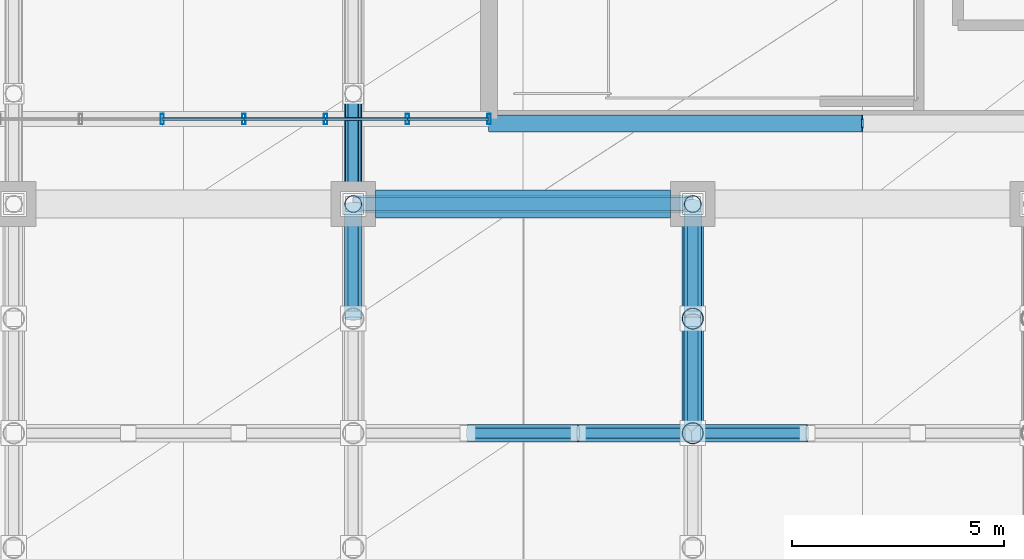
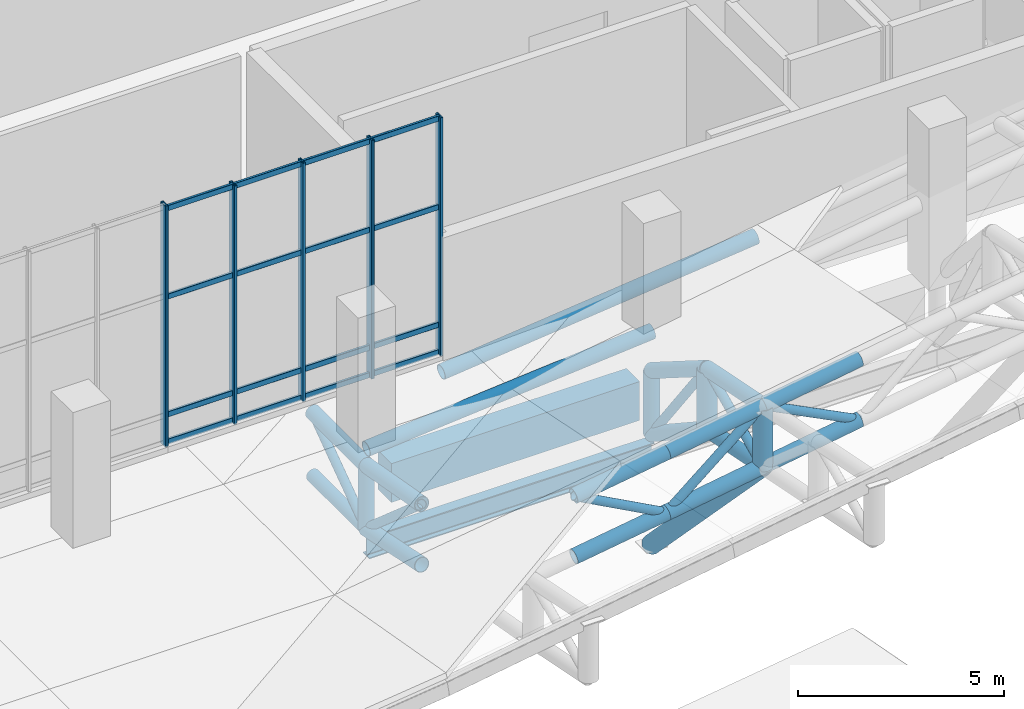
# One storey, part 32 of 137: 49 members, 2 beams, 2 elements without a shape of their own.
"""IFC4 building model written with IfcOpenShell, lengths in metres."""

from ifc_helpers import new_model, si_unit, direction, frame, origin, origin_2d, place, context, subcontext, project, spatial, rectangle, hollow_rectangle, hollow_circle, i_section, extrude, material, layer, layer_set, material_profile, profile_set, type_object, element, aggregate, save


model = new_model("IFC4")

# Units and contexts
model_context = context("Model", 3, precision=1e-05, world=origin(), true_north=direction((0.0, 1.0)))
body_context = subcontext(model_context, "Body", "Model", "MODEL_VIEW")
ifc_project = project(units=[si_unit("LENGTHUNIT", "METRE"), si_unit("AREAUNIT", "SQUARE_METRE"), si_unit("VOLUMEUNIT", "CUBIC_METRE"), si_unit("PLANEANGLEUNIT", "RADIAN"), si_unit("MASSUNIT", "GRAM", prefix="KILO")], contexts=[model_context])

# Site, building, storey
site_placement = place(None, origin())
site = spatial("IfcSite", under=ifc_project, at=site_placement, CompositionType="ELEMENT")
building_placement = place(site_placement, origin())
building = spatial("IfcBuilding", under=site, at=building_placement, Name="Khorjan Park Terminus", CompositionType="ELEMENT")
storey_placement = place(building_placement, frame((0.0, 0.0, 11.4)))
storey = spatial("IfcBuildingStorey", under=building, at=storey_placement, Name="L02", CompositionType="ELEMENT", Elevation=11.4)

# Members
ifc_material_1 = material(Name="Steel S355", Category="steel")
ifc_material_profile_1 = material_profile(ifc_material_1, hollow_circle(Radius=0.1222, WallThickness=0.0125, at=origin_2d()), Name="CHS 244.5x12.5")
ifc_profile_set_1 = profile_set([ifc_material_profile_1], Name="Steel S355")
member_type_1 = type_object("IfcMemberType", Name="MB-BR-245", PredefinedType="BRACE", material=ifc_profile_set_1)
member_1_placement = place(storey_placement, frame((112.0, 26.0, -1.92), z_axis=(0.0, 0.811830357573, 0.583893372562), x_axis=(-1.0, 0.0, 0.0)))
element("IfcMember", 1, at=member_1_placement, inside=storey, type_object=member_type_1, Name="Lower shell cantilever truss diagonal (9S)", PredefinedType="BRACE", context=body_context, shape_type="SweptSolid", body=[
    extrude(hollow_circle(Radius=0.1222, WallThickness=0.0125, at=origin_2d()), origin(), (0.0, 0.0, 1.0), 3.2026),
])
ifc_material_profile_2 = material_profile(ifc_material_1, hollow_circle(Radius=0.1222, WallThickness=0.0125, at=origin_2d()), Name="CHS 244.5x12.5")
ifc_profile_set_2 = profile_set([ifc_material_profile_2], Name="Steel S355")
member_type_2 = type_object("IfcMemberType", Name="MB-BRE-245", PredefinedType="BRACE", material=ifc_profile_set_2)
member_2_placement = place(storey_placement, frame((112.0, 23.3, 0.4308), z_axis=(0.0, 0.754194044535, -0.656651614776), x_axis=(-1.0, 0.0, 0.0)))
element("IfcMember", 2, at=member_2_placement, inside=storey, type_object=member_type_2, Name="Lower shell cantilever truss diagonal (9S)", PredefinedType="BRACE", context=body_context, shape_type="SweptSolid", body=[
    extrude(hollow_circle(Radius=0.1222, WallThickness=0.0125, at=origin_2d()), origin(), (0.0, 0.0, 1.0), 3.58),
])
member_3_placement = place(storey_placement, frame((120.0, 20.6, 0.3938), z_axis=(0.0, 0.906376008919, 0.422471928602), x_axis=(-1.0, 0.0, 0.0)))
element("IfcMember", 3, at=member_3_placement, inside=storey, type_object=member_type_2, Name="Lower shell cantilever truss diagonal (10S)", PredefinedType="BRACE", context=body_context, shape_type="SweptSolid", body=[
    extrude(hollow_circle(Radius=0.1222, WallThickness=0.0125, at=origin_2d()), origin(), (0.0, 0.0, 1.0), 2.9789),
])
member_4_placement = place(storey_placement, frame((120.0, 23.3, 1.6523), z_axis=(0.0, 0.602965135538, -0.797767538401), x_axis=(-1.0, 0.0, 0.0)))
element("IfcMember", 4, at=member_4_placement, inside=storey, type_object=member_type_2, Name="Lower shell cantilever truss diagonal (10S)", PredefinedType="BRACE", context=body_context, shape_type="SweptSolid", body=[
    extrude(hollow_circle(Radius=0.1222, WallThickness=0.0125, at=origin_2d()), origin(), (0.0, 0.0, 1.0), 4.4779),
])
member_5_placement = place(storey_placement, frame((114.7, 20.6, 1.3641), z_axis=(0.880046872232, 0.0, -0.474886831439), x_axis=(0.0, 1.0, 0.0)))
element("IfcMember", 5, at=member_5_placement, inside=storey, type_object=member_type_2, Name="Lower shell mid-ring diagonal (S30)", PredefinedType="BRACE", context=body_context, shape_type="SweptSolid", body=[
    extrude(hollow_circle(Radius=0.1222, WallThickness=0.0125, at=origin_2d()), origin(), (0.0, 0.0, 1.0), 2.9544),
])
member_6_placement = place(storey_placement, frame((117.3, 20.6, -0.0389), z_axis=(0.770644194056, 0.0, 0.637265663729), x_axis=(0.0, 1.0, 0.0)))
element("IfcMember", 6, at=member_6_placement, inside=storey, type_object=member_type_2, Name="Lower shell mid-ring diagonal (S31)", PredefinedType="BRACE", context=body_context, shape_type="SweptSolid", body=[
    extrude(hollow_circle(Radius=0.1222, WallThickness=0.0125, at=origin_2d()), origin(), (0.0, 0.0, 1.0), 3.5036),
])
member_7_placement = place(storey_placement, frame((120.0, 20.6, 2.1938), z_axis=(0.892129007038, 0.0, -0.451780737527), x_axis=(0.0, 1.0, 0.0)))
element("IfcMember", 7, at=member_7_placement, inside=storey, type_object=member_type_2, Name="Lower shell mid-ring diagonal (S32)", PredefinedType="BRACE", context=body_context, shape_type="SweptSolid", body=[
    extrude(hollow_circle(Radius=0.1222, WallThickness=0.0125, at=origin_2d()), origin(), (0.0, 0.0, 1.0), 3.0265),
])
ifc_material_profile_3 = material_profile(ifc_material_1, hollow_circle(Radius=0.1778, WallThickness=0.016, at=origin_2d()), Name="CHS 355.6x16")
ifc_profile_set_3 = profile_set([ifc_material_profile_3], Name="Steel S355")
member_type_3 = type_object("IfcMemberType", Name="MB-CH-356", PredefinedType="CHORD", material=ifc_profile_set_3)
member_8_placement = place(storey_placement, frame((112.0, 26.0, -1.92), z_axis=(0.0, 1.0, 0.0), x_axis=(-1.0, 0.0, 0.0)))
element("IfcMember", 8, at=member_8_placement, inside=storey, type_object=member_type_3, Name="Lower shell cantilever truss bottom chord (9S)", PredefinedType="CHORD", context=body_context, shape_type="SweptSolid", body=[
    extrude(hollow_circle(Radius=0.1778, WallThickness=0.016, at=origin_2d()), origin(), (0.0, 0.0, 1.0), 2.6),
])
ifc_material_profile_4 = material_profile(ifc_material_1, hollow_circle(Radius=0.2032, WallThickness=0.016, at=origin_2d()), Name="CHS 406.4x16")
ifc_profile_set_4 = profile_set([ifc_material_profile_4], Name="Steel S355")
member_type_4 = type_object("IfcMemberType", Name="MB-CH-406", PredefinedType="CHORD", material=ifc_profile_set_4)
member_9_placement = place(storey_placement, frame((115.2, 27.9, 0.4335), z_axis=(0.994375475999, 0.0, 0.105912287915), x_axis=(0.0, 1.0, 0.0)))
element("IfcMember", 9, at=member_9_placement, inside=storey, type_object=member_type_4, Name="Lower wrapping shell rim chord (84)", PredefinedType="CHORD", context=body_context, shape_type="SweptSolid", body=[
    extrude(hollow_circle(Radius=0.2032, WallThickness=0.016, at=origin_2d()), origin(), (0.0, 0.0, 1.0), 8.8498),
])
member_10_placement = place(storey_placement, frame((112.0, 26.0, -0.05), z_axis=(0.0, 1.0, 0.0), x_axis=(-1.0, 0.0, 0.0)))
element("IfcMember", 10, at=member_10_placement, inside=storey, type_object=member_type_4, Name="Lower shell cantilever truss top chord (9S)", PredefinedType="CHORD", context=body_context, shape_type="SweptSolid", body=[
    extrude(hollow_circle(Radius=0.2032, WallThickness=0.016, at=origin_2d()), origin(), (0.0, 0.0, 1.0), 2.6),
])
ifc_material_profile_5 = material_profile(ifc_material_1, hollow_circle(Radius=0.2032, WallThickness=0.016, at=origin_2d()), Name="CHS 406.4x16")
ifc_profile_set_5 = profile_set([ifc_material_profile_5], Name="Steel S355")
member_type_5 = type_object("IfcMemberType", Name="MB-CHE-406", PredefinedType="CHORD", material=ifc_profile_set_5)
member_11_placement = place(storey_placement, frame((112.0, 26.0, 0.4308), z_axis=(0.996406958115, 0.0, 0.08469459144), x_axis=(0.0, 1.0, 0.0)))
element("IfcMember", 11, at=member_11_placement, inside=storey, type_object=member_type_5, Name="Lower wrapping shell rim chord (67)", PredefinedType="CHORD", context=body_context, shape_type="SweptSolid", body=[
    extrude(hollow_circle(Radius=0.2032, WallThickness=0.016, at=origin_2d()), origin(), (0.0, 0.0, 1.0), 8.0288),
])
member_12_placement = place(storey_placement, frame((112.0, 23.3, 0.4308), z_axis=(0.0, 0.98451219689, -0.175316097876), x_axis=(-1.0, 0.0, 0.0)))
element("IfcMember", 12, at=member_12_placement, inside=storey, type_object=member_type_5, Name="Lower shell cantilever truss top chord (9S)", PredefinedType="CHORD", context=body_context, shape_type="SweptSolid", body=[
    extrude(hollow_circle(Radius=0.2032, WallThickness=0.016, at=origin_2d()), origin(), (0.0, 0.0, 1.0), 2.7425),
])
member_13_placement = place(storey_placement, frame((112.0, 23.3, -1.3692), z_axis=(0.0, 0.979819726619, -0.19988322423), x_axis=(-1.0, 0.0, 0.0)))
element("IfcMember", 13, at=member_13_placement, inside=storey, type_object=member_type_5, Name="Lower shell cantilever truss bottom chord (9S)", PredefinedType="CHORD", context=body_context, shape_type="SweptSolid", body=[
    extrude(hollow_circle(Radius=0.2032, WallThickness=0.016, at=origin_2d()), origin(), (0.0, 0.0, 1.0), 2.7556),
])
for number, where, z_axis, x_axis, name in (
    (14, (120.0, 20.6, 2.1938), (0.0, 0.980475784127, -0.196639865594), (-1.0, 0.0, 0.0), "Lower shell cantilever truss top chord (10S)"),
    (15, (120.0, 20.6, 0.3938), (0.0, 0.980475784127, -0.196639865594), (-1.0, 0.0, 0.0), "Lower shell cantilever truss bottom chord (10S)"),
):
    element("IfcMember", number, at=place(storey_placement, frame(where, z_axis=z_axis, x_axis=x_axis)), inside=storey, type_object=member_type_5, Name=name, PredefinedType="CHORD", context=body_context, shape_type="SweptSolid", body=[
        extrude(hollow_circle(Radius=0.2032, WallThickness=0.016, at=origin_2d()), origin(), (0.0, 0.0, 1.0), 2.7538),
    ])
member_14_placement = place(storey_placement, frame((120.0, 23.3, 1.6523), z_axis=(0.0, 0.845907781047, -0.533329190991), x_axis=(-1.0, 0.0, 0.0)))
element("IfcMember", 16, at=member_14_placement, inside=storey, type_object=member_type_5, Name="Lower shell cantilever truss top chord (10S)", PredefinedType="CHORD", context=body_context, shape_type="SweptSolid", body=[
    extrude(hollow_circle(Radius=0.2032, WallThickness=0.016, at=origin_2d()), origin(), (0.0, 0.0, 1.0), 3.1918),
])
member_15_placement = place(storey_placement, frame((120.0, 23.3, -0.1477), z_axis=(0.0, 0.83598754475, -0.548748416874), x_axis=(-1.0, 0.0, 0.0)))
element("IfcMember", 17, at=member_15_placement, inside=storey, type_object=member_type_5, Name="Lower shell cantilever truss bottom chord (10S)", PredefinedType="CHORD", context=body_context, shape_type="SweptSolid", body=[
    extrude(hollow_circle(Radius=0.2032, WallThickness=0.016, at=origin_2d()), origin(), (0.0, 0.0, 1.0), 3.2297),
])
for number, where, z_axis, x_axis, name in (
    (18, (114.7, 20.6, 1.3641), (0.988542493121, 0.0, 0.150942834526), (0.0, 1.0, 0.0), "Lower shell mid-ring top chord (S30)"),
    (19, (114.7, 20.6, -0.4359), (0.988542493121, 0.0, 0.150942834526), (0.0, 1.0, 0.0), "Lower shell mid-ring bottom chord (S30)"),
):
    element("IfcMember", number, at=place(storey_placement, frame(where, z_axis=z_axis, x_axis=x_axis)), inside=storey, type_object=member_type_5, Name=name, PredefinedType="CHORD", context=body_context, shape_type="SweptSolid", body=[
        extrude(hollow_circle(Radius=0.2032, WallThickness=0.016, at=origin_2d()), origin(), (0.0, 0.0, 1.0), 2.6301),
    ])
for number, where, z_axis, x_axis, name in (
    (20, (117.3, 20.6, 1.7611), (0.987400663901, 0.0, 0.158240098989), (0.0, 1.0, 0.0), "Lower shell mid-ring top chord (S31)"),
    (21, (117.3, 20.6, -0.0389), (0.987400663901, 0.0, 0.158240098989), (0.0, 1.0, 0.0), "Lower shell mid-ring bottom chord (S31)"),
    (22, (120.0, 20.6, 2.1938), (0.987400663901, 0.0, 0.158240098989), (0.0, 1.0, 0.0), "Lower shell mid-ring top chord (S32)"),
    (23, (120.0, 20.6, 0.3938), (0.987400663901, 0.0, 0.158240098989), (0.0, 1.0, 0.0), "Lower shell mid-ring bottom chord (S32)"),
):
    element("IfcMember", number, at=place(storey_placement, frame(where, z_axis=z_axis, x_axis=x_axis)), inside=storey, type_object=member_type_5, Name=name, PredefinedType="CHORD", context=body_context, shape_type="SweptSolid", body=[
        extrude(hollow_circle(Radius=0.2032, WallThickness=0.016, at=origin_2d()), origin(), (0.0, 0.0, 1.0), 2.7345),
    ])
ifc_material_profile_6 = material_profile(ifc_material_1, hollow_circle(Radius=0.2032, WallThickness=0.016, at=origin_2d()), Name="CHS 406.4x16")
ifc_profile_set_6 = profile_set([ifc_material_profile_6], Name="Steel S355")
member_type_6 = type_object("IfcMemberType", Name="MB-ST-406", PredefinedType="STRUT", material=ifc_profile_set_6)
for number, where, z_axis, x_axis, name in (
    (24, (112.0, 26.0, -1.92), (0.0, 0.0, 1.0), (1.0, 0.0, 0.0), "Lower shell cantilever truss post (9S)"),
    (25, (120.0, 26.0, -1.92), (0.0, 0.0, 1.0), (1.0, 0.0, 0.0), "Lower shell cantilever truss post (10S)"),
):
    element("IfcMember", number, at=place(storey_placement, frame(where, z_axis=z_axis, x_axis=x_axis)), inside=storey, type_object=member_type_6, Name=name, PredefinedType="STRUT", context=body_context, shape_type="SweptSolid", body=[
        extrude(hollow_circle(Radius=0.2032, WallThickness=0.016, at=origin_2d()), origin(), (0.0, 0.0, 1.0), 1.87),
    ])
ifc_material_profile_7 = material_profile(ifc_material_1, hollow_circle(Radius=0.254, WallThickness=0.02, at=origin_2d()), Name="CHS 508x20")
ifc_profile_set_7 = profile_set([ifc_material_profile_7], Name="Steel S355")
member_type_7 = type_object("IfcMemberType", Name="MB-STE-508", PredefinedType="STRUT", material=ifc_profile_set_7)
for number, where, z_axis, x_axis, name in (
    (26, (120.0, 20.6, 0.3938), (0.0, 0.0, 1.0), (1.0, 0.0, 0.0), "Lower shell cantilever truss post (10S)"),
    (27, (120.0, 23.3, -0.1477), (0.0, 0.0, 1.0), (1.0, 0.0, 0.0), "Lower shell cantilever truss post (10S)"),
):
    element("IfcMember", number, at=place(storey_placement, frame(where, z_axis=z_axis, x_axis=x_axis)), inside=storey, type_object=member_type_7, Name=name, PredefinedType="STRUT", context=body_context, shape_type="SweptSolid", body=[
        extrude(hollow_circle(Radius=0.254, WallThickness=0.02, at=origin_2d()), origin(), (0.0, 0.0, 1.0), 1.8),
    ])
member_16_placement = place(storey_placement, frame((120.0, 26.0, -5.2), z_axis=(0.0, -0.694533914635, 0.719459965127), x_axis=(1.0, 0.0, 0.0)))
element("IfcMember", 28, at=member_16_placement, inside=storey, type_object=member_type_7, Name="Lower shell raked overhang V-strut STE-51 (10S)", PredefinedType="STRUT", context=body_context, shape_type="SweptSolid", body=[
    extrude(hollow_circle(Radius=0.254, WallThickness=0.02, at=origin_2d()), origin(), (0.0, 0.0, 1.0), 7.775),
])

# Curtain wall, member
ifc_material_2 = material(Name="Anodized Bronze Aluminium", Category="aluminium")
ifc_layer = layer(ifc_material_2, 0.22)
ifc_layer_set = layer_set([ifc_layer], Name="Anodized Bronze Aluminium")
curtain_wall_type = type_object("IfcCurtainWallType", Name="CW-CONC-CLR", PredefinedType="NOTDEFINED", material=ifc_layer_set)
curtain_wall_1_placement = place(storey_placement, origin())
curtain_wall_1 = element("IfcCurtainWall", 29, at=curtain_wall_1_placement, inside=storey, type_object=curtain_wall_type, Name="Unitized curtain wall CW-CL (CW-V2-S-CLR-06)", PredefinedType="NOTDEFINED")
ifc_material_profile_8 = material_profile(ifc_material_2, hollow_rectangle(XDim=0.08, YDim=0.25, WallThickness=0.005, InnerFilletRadius=0.005, OuterFilletRadius=0.01, at=origin_2d()), Name="ALM 80x250x5")
ifc_profile_set_8 = profile_set([ifc_material_profile_8], Name="Anodized Bronze Aluminium")
member_type_8 = type_object("IfcMemberType", Name="ML-ALM-250", PredefinedType="MULLION", material=ifc_profile_set_8)
member_17_placement = place(storey_placement, frame((107.5, 28.0, 0.915), z_axis=(0.0, 0.0, 1.0), x_axis=(1.0, 0.0, 0.0)))
member_17 = element("IfcMember", 30, at=member_17_placement, type_object=member_type_8, Name="Curtain-wall mullion ML-25 (CW-V2-S-CLR-06-4)", PredefinedType="MULLION", context=body_context, shape_type="SweptSolid", body=[
    extrude(hollow_rectangle(XDim=0.08, YDim=0.25, WallThickness=0.005, InnerFilletRadius=0.005, OuterFilletRadius=0.01, at=origin_2d()), origin(), (0.0, 0.0, 1.0), 7.1432),
])
aggregate(curtain_wall_1, [member_17])

# Curtain wall, members
curtain_wall_2_placement = place(storey_placement, origin())
curtain_wall_2 = element("IfcCurtainWall", 31, at=curtain_wall_2_placement, inside=storey, type_object=curtain_wall_type, Name="Unitized curtain wall CW-CL (CW-V2-S-CLR-07)", PredefinedType="NOTDEFINED")
member_18_placement = place(storey_placement, frame((109.425, 28.0, 0.915), z_axis=(0.0, 0.0, 1.0), x_axis=(1.0, 0.0, 0.0)))
member_18 = element("IfcMember", 32, at=member_18_placement, type_object=member_type_8, Name="Curtain-wall mullion ML-25 (CW-V2-S-CLR-07-1)", PredefinedType="MULLION", context=body_context, shape_type="SweptSolid", body=[
    extrude(hollow_rectangle(XDim=0.08, YDim=0.25, WallThickness=0.005, InnerFilletRadius=0.005, OuterFilletRadius=0.01, at=origin_2d()), origin(), (0.0, 0.0, 1.0), 7.0716),
])
member_19_placement = place(storey_placement, frame((111.35, 28.0, 0.915), z_axis=(0.0, 0.0, 1.0), x_axis=(1.0, 0.0, 0.0)))
member_19 = element("IfcMember", 33, at=member_19_placement, type_object=member_type_8, Name="Curtain-wall mullion ML-25 (CW-V2-S-CLR-07-2)", PredefinedType="MULLION", context=body_context, shape_type="SweptSolid", body=[
    extrude(hollow_rectangle(XDim=0.08, YDim=0.25, WallThickness=0.005, InnerFilletRadius=0.005, OuterFilletRadius=0.01, at=origin_2d()), origin(), (0.0, 0.0, 1.0), 7.0716),
])
member_20_placement = place(storey_placement, frame((113.275, 28.0, 0.915), z_axis=(0.0, 0.0, 1.0), x_axis=(1.0, 0.0, 0.0)))
member_20 = element("IfcMember", 34, at=member_20_placement, type_object=member_type_8, Name="Curtain-wall mullion ML-25 (CW-V2-S-CLR-07-3)", PredefinedType="MULLION", context=body_context, shape_type="SweptSolid", body=[
    extrude(hollow_rectangle(XDim=0.08, YDim=0.25, WallThickness=0.005, InnerFilletRadius=0.005, OuterFilletRadius=0.01, at=origin_2d()), origin(), (0.0, 0.0, 1.0), 7.0716),
])
member_21_placement = place(storey_placement, frame((115.2, 28.0, 0.915), z_axis=(0.0, 0.0, 1.0), x_axis=(1.0, 0.0, 0.0)))
member_21 = element("IfcMember", 35, at=member_21_placement, type_object=member_type_8, Name="Curtain-wall mullion ML-25 (CW-V2-S-CLR-07-4)", PredefinedType="MULLION", context=body_context, shape_type="SweptSolid", body=[
    extrude(hollow_rectangle(XDim=0.08, YDim=0.25, WallThickness=0.005, InnerFilletRadius=0.005, OuterFilletRadius=0.01, at=origin_2d()), origin(), (0.0, 0.0, 1.0), 7.0716),
])

# Beams
ifc_material_profile_9 = material_profile(ifc_material_1, i_section(OverallWidth=0.3, OverallDepth=0.65, WebThickness=0.016, FlangeThickness=0.031, FilletRadius=0.027, at=origin_2d()), Name="HEB 650")
ifc_profile_set_9 = profile_set([ifc_material_profile_9], Name="Steel S355")
beam_type_1 = type_object("IfcBeamType", Name="SP-HEB650E", PredefinedType="SPANDREL", material=ifc_profile_set_9)
beam_1_placement = place(storey_placement, frame((112.0, 26.0, -2.425), z_axis=(1.0, 0.0, 0.0), x_axis=(0.0, 1.0, 0.0)))
element("IfcBeam", 36, at=beam_1_placement, inside=storey, type_object=beam_type_1, Name="Lower shell truss support girder SP-E65 (X9)", PredefinedType="SPANDREL", context=body_context, shape_type="SweptSolid", body=[
    extrude(i_section(OverallWidth=0.3, OverallDepth=0.65, WebThickness=0.016, FlangeThickness=0.031, FilletRadius=0.027, at=origin_2d()), origin(), (0.0, 0.0, 1.0), 8.0),
])
ifc_material_3 = material(Name="Concrete C50/60", Category="concrete")
ifc_material_profile_10 = material_profile(ifc_material_3, rectangle(XDim=0.65, YDim=1.15, at=origin_2d()), Name="RC 650x1150")
ifc_profile_set_10 = profile_set([ifc_material_profile_10], Name="Concrete C50/60")
beam_type_2 = type_object("IfcBeamType", Name="SP-RC650x1150", PredefinedType="SPANDREL", material=ifc_profile_set_10)
beam_2_placement = place(storey_placement, frame((112.52, 26.0, -0.575), z_axis=(1.0, 0.0, 0.0), x_axis=(0.0, 1.0, 0.0)))
element("IfcBeam", 37, at=beam_2_placement, inside=storey, type_object=beam_type_2, Name="Concourse lower colonnade ring beam SP-11 (L02-53)", PredefinedType="SPANDREL", context=body_context, shape_type="SweptSolid", body=[
    extrude(rectangle(XDim=0.65, YDim=1.15, at=origin_2d()), origin(), (0.0, 0.0, 1.0), 6.96),
])

# Member
ifc_material_profile_11 = material_profile(ifc_material_2, hollow_rectangle(XDim=0.07, YDim=0.16, WallThickness=0.004, InnerFilletRadius=0.004, OuterFilletRadius=0.008, at=origin_2d()), Name="ALT 70x160x4")
ifc_profile_set_11 = profile_set([ifc_material_profile_11], Name="Anodized Bronze Aluminium")
member_type_9 = type_object("IfcMemberType", Name="TR-ALT-160", PredefinedType="USERDEFINED", material=ifc_profile_set_11)
member_22_placement = place(storey_placement, frame((107.5, 28.0, 0.99), z_axis=(1.0, 0.0, 0.0), x_axis=(0.0, 1.0, 0.0)))
member_22 = element("IfcMember", 38, at=member_22_placement, type_object=member_type_9, Name="Curtain-wall transom TR-16 (CW-V2-S-CLR-07-0-1)", ObjectType="TRANSOM", PredefinedType="USERDEFINED", context=body_context, shape_type="SweptSolid", body=[
    extrude(hollow_rectangle(XDim=0.07, YDim=0.16, WallThickness=0.004, InnerFilletRadius=0.004, OuterFilletRadius=0.008, at=origin_2d()), origin(), (0.0, 0.0, 1.0), 1.925),
])

member_23_placement = place(storey_placement, frame((107.5, 28.0, 1.8), z_axis=(1.0, 0.0, 0.0), x_axis=(0.0, 1.0, 0.0)))
member_23 = element("IfcMember", 39, at=member_23_placement, type_object=member_type_9, Name="Curtain-wall transom TR-16 (CW-V2-S-CLR-07-0-2)", ObjectType="TRANSOM", PredefinedType="USERDEFINED", context=body_context, shape_type="SweptSolid", body=[
    extrude(hollow_rectangle(XDim=0.07, YDim=0.16, WallThickness=0.004, InnerFilletRadius=0.004, OuterFilletRadius=0.008, at=origin_2d()), origin(), (0.0, 0.0, 1.0), 1.925),
])

member_24_placement = place(storey_placement, frame((107.5, 28.0, 5.291), z_axis=(1.0, 0.0, 0.0), x_axis=(0.0, 1.0, 0.0)))
member_24 = element("IfcMember", 40, at=member_24_placement, type_object=member_type_9, Name="Curtain-wall transom TR-16 (CW-V2-S-CLR-07-0-3)", ObjectType="TRANSOM", PredefinedType="USERDEFINED", context=body_context, shape_type="SweptSolid", body=[
    extrude(hollow_rectangle(XDim=0.07, YDim=0.16, WallThickness=0.004, InnerFilletRadius=0.004, OuterFilletRadius=0.008, at=origin_2d()), origin(), (0.0, 0.0, 1.0), 1.925),
])

member_25_placement = place(storey_placement, frame((107.5, 28.0, 7.9116), z_axis=(1.0, 0.0, 0.0), x_axis=(0.0, 1.0, 0.0)))
member_25 = element("IfcMember", 41, at=member_25_placement, type_object=member_type_9, Name="Curtain-wall transom TR-16 (CW-V2-S-CLR-07-0-4)", ObjectType="TRANSOM", PredefinedType="USERDEFINED", context=body_context, shape_type="SweptSolid", body=[
    extrude(hollow_rectangle(XDim=0.07, YDim=0.16, WallThickness=0.004, InnerFilletRadius=0.004, OuterFilletRadius=0.008, at=origin_2d()), origin(), (0.0, 0.0, 1.0), 1.925),
])

member_26_placement = place(storey_placement, frame((109.425, 28.0, 0.99), z_axis=(1.0, 0.0, 0.0), x_axis=(0.0, 1.0, 0.0)))
member_26 = element("IfcMember", 42, at=member_26_placement, type_object=member_type_9, Name="Curtain-wall transom TR-16 (CW-V2-S-CLR-07-1-1)", ObjectType="TRANSOM", PredefinedType="USERDEFINED", context=body_context, shape_type="SweptSolid", body=[
    extrude(hollow_rectangle(XDim=0.07, YDim=0.16, WallThickness=0.004, InnerFilletRadius=0.004, OuterFilletRadius=0.008, at=origin_2d()), origin(), (0.0, 0.0, 1.0), 1.925),
])

member_27_placement = place(storey_placement, frame((109.425, 28.0, 1.8), z_axis=(1.0, 0.0, 0.0), x_axis=(0.0, 1.0, 0.0)))
member_27 = element("IfcMember", 43, at=member_27_placement, type_object=member_type_9, Name="Curtain-wall transom TR-16 (CW-V2-S-CLR-07-1-2)", ObjectType="TRANSOM", PredefinedType="USERDEFINED", context=body_context, shape_type="SweptSolid", body=[
    extrude(hollow_rectangle(XDim=0.07, YDim=0.16, WallThickness=0.004, InnerFilletRadius=0.004, OuterFilletRadius=0.008, at=origin_2d()), origin(), (0.0, 0.0, 1.0), 1.925),
])

member_28_placement = place(storey_placement, frame((109.425, 28.0, 5.291), z_axis=(1.0, 0.0, 0.0), x_axis=(0.0, 1.0, 0.0)))
member_28 = element("IfcMember", 44, at=member_28_placement, type_object=member_type_9, Name="Curtain-wall transom TR-16 (CW-V2-S-CLR-07-1-3)", ObjectType="TRANSOM", PredefinedType="USERDEFINED", context=body_context, shape_type="SweptSolid", body=[
    extrude(hollow_rectangle(XDim=0.07, YDim=0.16, WallThickness=0.004, InnerFilletRadius=0.004, OuterFilletRadius=0.008, at=origin_2d()), origin(), (0.0, 0.0, 1.0), 1.925),
])

member_29_placement = place(storey_placement, frame((109.425, 28.0, 7.9116), z_axis=(1.0, 0.0, 0.0), x_axis=(0.0, 1.0, 0.0)))
member_29 = element("IfcMember", 45, at=member_29_placement, type_object=member_type_9, Name="Curtain-wall transom TR-16 (CW-V2-S-CLR-07-1-4)", ObjectType="TRANSOM", PredefinedType="USERDEFINED", context=body_context, shape_type="SweptSolid", body=[
    extrude(hollow_rectangle(XDim=0.07, YDim=0.16, WallThickness=0.004, InnerFilletRadius=0.004, OuterFilletRadius=0.008, at=origin_2d()), origin(), (0.0, 0.0, 1.0), 1.925),
])

member_30_placement = place(storey_placement, frame((111.35, 28.0, 0.99), z_axis=(1.0, 0.0, 0.0), x_axis=(0.0, 1.0, 0.0)))
member_30 = element("IfcMember", 46, at=member_30_placement, type_object=member_type_9, Name="Curtain-wall transom TR-16 (CW-V2-S-CLR-07-2-1)", ObjectType="TRANSOM", PredefinedType="USERDEFINED", context=body_context, shape_type="SweptSolid", body=[
    extrude(hollow_rectangle(XDim=0.07, YDim=0.16, WallThickness=0.004, InnerFilletRadius=0.004, OuterFilletRadius=0.008, at=origin_2d()), origin(), (0.0, 0.0, 1.0), 1.925),
])

member_31_placement = place(storey_placement, frame((111.35, 28.0, 1.8), z_axis=(1.0, 0.0, 0.0), x_axis=(0.0, 1.0, 0.0)))
member_31 = element("IfcMember", 47, at=member_31_placement, type_object=member_type_9, Name="Curtain-wall transom TR-16 (CW-V2-S-CLR-07-2-2)", ObjectType="TRANSOM", PredefinedType="USERDEFINED", context=body_context, shape_type="SweptSolid", body=[
    extrude(hollow_rectangle(XDim=0.07, YDim=0.16, WallThickness=0.004, InnerFilletRadius=0.004, OuterFilletRadius=0.008, at=origin_2d()), origin(), (0.0, 0.0, 1.0), 1.925),
])

member_32_placement = place(storey_placement, frame((111.35, 28.0, 5.291), z_axis=(1.0, 0.0, 0.0), x_axis=(0.0, 1.0, 0.0)))
member_32 = element("IfcMember", 48, at=member_32_placement, type_object=member_type_9, Name="Curtain-wall transom TR-16 (CW-V2-S-CLR-07-2-3)", ObjectType="TRANSOM", PredefinedType="USERDEFINED", context=body_context, shape_type="SweptSolid", body=[
    extrude(hollow_rectangle(XDim=0.07, YDim=0.16, WallThickness=0.004, InnerFilletRadius=0.004, OuterFilletRadius=0.008, at=origin_2d()), origin(), (0.0, 0.0, 1.0), 1.925),
])

member_33_placement = place(storey_placement, frame((111.35, 28.0, 7.9116), z_axis=(1.0, 0.0, 0.0), x_axis=(0.0, 1.0, 0.0)))
member_33 = element("IfcMember", 49, at=member_33_placement, type_object=member_type_9, Name="Curtain-wall transom TR-16 (CW-V2-S-CLR-07-2-4)", ObjectType="TRANSOM", PredefinedType="USERDEFINED", context=body_context, shape_type="SweptSolid", body=[
    extrude(hollow_rectangle(XDim=0.07, YDim=0.16, WallThickness=0.004, InnerFilletRadius=0.004, OuterFilletRadius=0.008, at=origin_2d()), origin(), (0.0, 0.0, 1.0), 1.925),
])

member_34_placement = place(storey_placement, frame((113.275, 28.0, 0.99), z_axis=(1.0, 0.0, 0.0), x_axis=(0.0, 1.0, 0.0)))
member_34 = element("IfcMember", 50, at=member_34_placement, type_object=member_type_9, Name="Curtain-wall transom TR-16 (CW-V2-S-CLR-07-3-1)", ObjectType="TRANSOM", PredefinedType="USERDEFINED", context=body_context, shape_type="SweptSolid", body=[
    extrude(hollow_rectangle(XDim=0.07, YDim=0.16, WallThickness=0.004, InnerFilletRadius=0.004, OuterFilletRadius=0.008, at=origin_2d()), origin(), (0.0, 0.0, 1.0), 1.925),
])

member_35_placement = place(storey_placement, frame((113.275, 28.0, 1.8), z_axis=(1.0, 0.0, 0.0), x_axis=(0.0, 1.0, 0.0)))
member_35 = element("IfcMember", 51, at=member_35_placement, type_object=member_type_9, Name="Curtain-wall transom TR-16 (CW-V2-S-CLR-07-3-2)", ObjectType="TRANSOM", PredefinedType="USERDEFINED", context=body_context, shape_type="SweptSolid", body=[
    extrude(hollow_rectangle(XDim=0.07, YDim=0.16, WallThickness=0.004, InnerFilletRadius=0.004, OuterFilletRadius=0.008, at=origin_2d()), origin(), (0.0, 0.0, 1.0), 1.925),
])

member_36_placement = place(storey_placement, frame((113.275, 28.0, 5.291), z_axis=(1.0, 0.0, 0.0), x_axis=(0.0, 1.0, 0.0)))
member_36 = element("IfcMember", 52, at=member_36_placement, type_object=member_type_9, Name="Curtain-wall transom TR-16 (CW-V2-S-CLR-07-3-3)", ObjectType="TRANSOM", PredefinedType="USERDEFINED", context=body_context, shape_type="SweptSolid", body=[
    extrude(hollow_rectangle(XDim=0.07, YDim=0.16, WallThickness=0.004, InnerFilletRadius=0.004, OuterFilletRadius=0.008, at=origin_2d()), origin(), (0.0, 0.0, 1.0), 1.925),
])

member_37_placement = place(storey_placement, frame((113.275, 28.0, 7.9116), z_axis=(1.0, 0.0, 0.0), x_axis=(0.0, 1.0, 0.0)))
member_37 = element("IfcMember", 53, at=member_37_placement, type_object=member_type_9, Name="Curtain-wall transom TR-16 (CW-V2-S-CLR-07-3-4)", ObjectType="TRANSOM", PredefinedType="USERDEFINED", context=body_context, shape_type="SweptSolid", body=[
    extrude(hollow_rectangle(XDim=0.07, YDim=0.16, WallThickness=0.004, InnerFilletRadius=0.004, OuterFilletRadius=0.008, at=origin_2d()), origin(), (0.0, 0.0, 1.0), 1.925),
])

aggregate(curtain_wall_2, [member_18, member_19, member_20, member_21, member_22, member_23, member_24, member_25, member_26, member_27, member_28, member_29, member_30, member_31, member_32, member_33, member_34, member_35, member_36, member_37])

save(model, "model.ifc")
